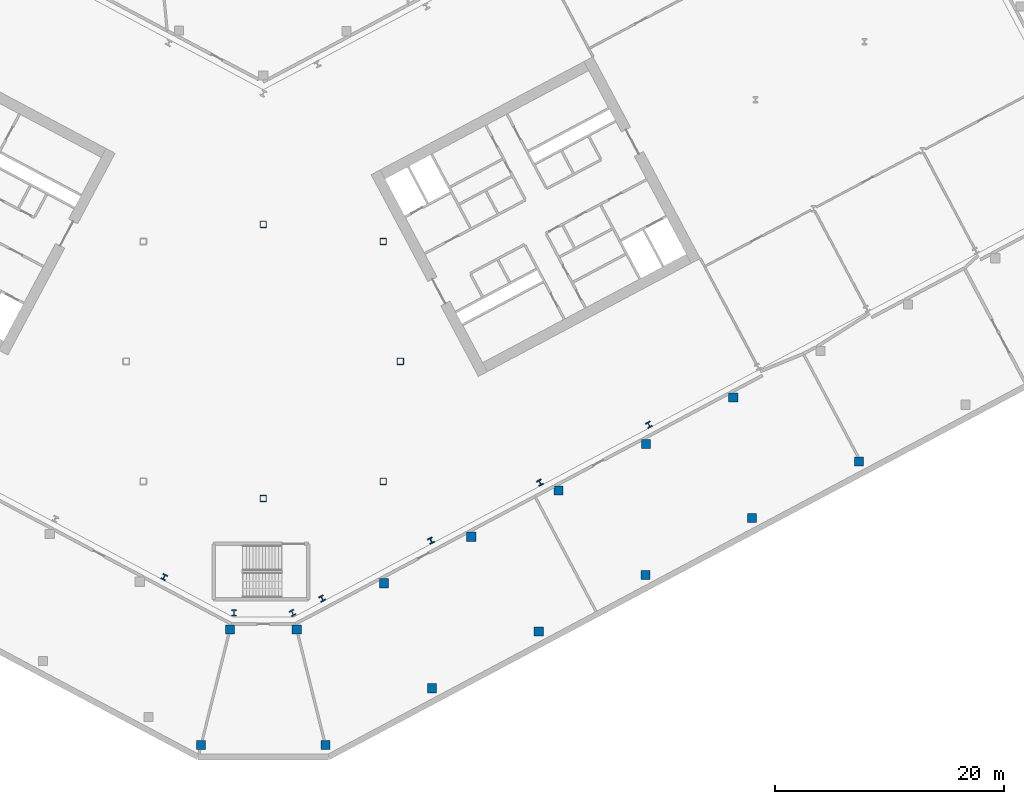
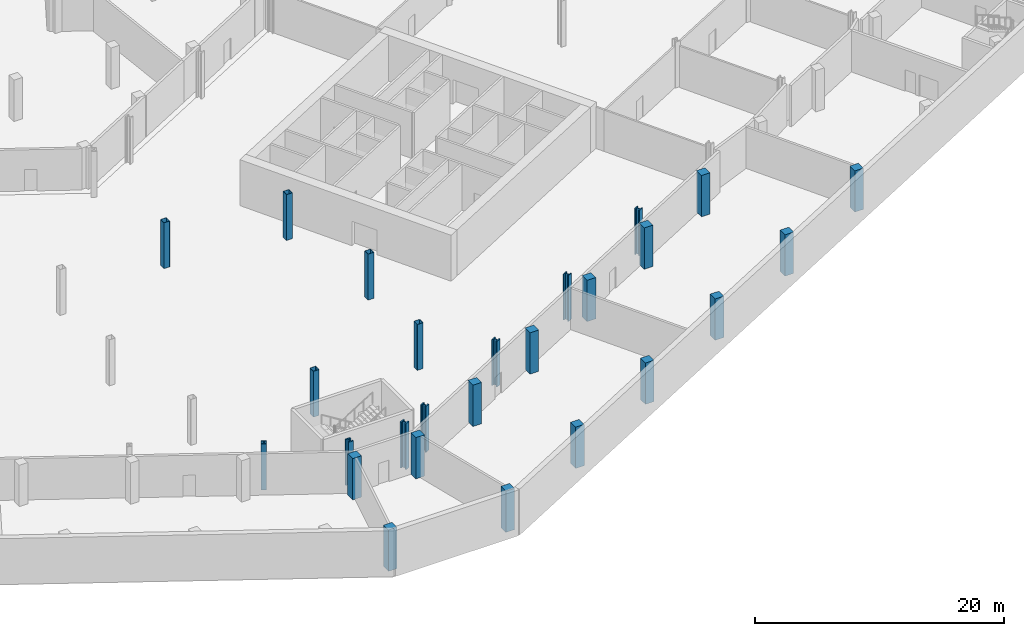
# One storey, part 3 of 27: 26 columns.
"""IFC4 building model written with IfcOpenShell, lengths in metres."""

from ifc_helpers import new_model, si_unit, direction, frame, origin, origin_2d, place, context, subcontext, project, spatial, rectangle, hollow_rectangle, i_section, extrude, material, material_profile, profile_set, type_object, element, save


model = new_model("IFC4")

# Units and contexts
model_context = context("Model", 3, precision=1e-05, world=origin(), true_north=direction((0.0, 1.0)))
body_context = subcontext(model_context, "Body", "Model", "MODEL_VIEW")
ifc_project = project(units=[si_unit("LENGTHUNIT", "METRE"), si_unit("AREAUNIT", "SQUARE_METRE"), si_unit("VOLUMEUNIT", "CUBIC_METRE"), si_unit("PLANEANGLEUNIT", "RADIAN"), si_unit("MASSUNIT", "GRAM", prefix="KILO")], contexts=[model_context])

# Site, building, storey
site_placement = place(None, origin())
site = spatial("IfcSite", under=ifc_project, at=site_placement, CompositionType="ELEMENT")
building_placement = place(site_placement, origin())
building = spatial("IfcBuilding", under=site, at=building_placement, Name="Cormorant Relay Tower", CompositionType="ELEMENT")
storey_placement = place(building_placement, frame((0.0, 0.0, -4.5)))
storey = spatial("IfcBuildingStorey", under=building, at=storey_placement, Name="B1", CompositionType="ELEMENT", Elevation=-4.5)

# Columns
ifc_material_1 = material(Name="Concrete 50 MPa", Category="concrete")
ifc_material_profile_1 = material_profile(ifc_material_1, rectangle(XDim=0.800048828125, YDim=0.800048828125, at=origin_2d()), Name="RC 800x800")
ifc_profile_set_1 = profile_set([ifc_material_profile_1], Name="Concrete 50 MPa")
column_type_1 = type_object("IfcColumnType", Name="Base column 800 x 800", PredefinedType="COLUMN", material=ifc_profile_set_1)
for number, where, z_axis, x_axis, name in (
    (1, (-5.44091796875, -33.575927734375, 0.0), (0.0, 0.0, 1.0), (1.0, 0.0, 0.0), "Base column"),
    (2, (5.44091796875, -33.575927734375, 0.0), (0.0, 0.0, 1.0), (1.0, 0.0, 0.0), "Base column"),
    (3, (14.778076171875, -28.611083984375, 0.0), (0.0, 0.0, 1.0), (1.0, 0.0, 0.0), "Base column"),
    (4, (24.114990234375, -23.64697265625, 0.0), (0.0, 0.0, 1.0), (1.0, 0.0, 0.0), "Base column"),
    (5, (-2.923095703125, -23.47607421875, 0.0), (0.0, 0.0, 1.0), (1.0, 0.0, 0.0), "Base column"),
    (6, (2.923095703125, -23.47607421875, 0.0), (0.0, 0.0, 1.0), (1.0, 0.0, 0.0), "Base column"),
    (7, (10.56494140625, -19.412109375, 0.0), (0.0, 0.0, 1.0), (1.0, 0.0, 0.0), "Base column"),
    (8, (33.451904296875, -18.681884765625, 0.0), (0.0, 0.0, 1.0), (1.0, 0.0, 0.0), "Base column"),
    (9, (18.20703125, -15.34912109375, 0.0), (0.0, 0.0, 1.0), (1.0, 0.0, 0.0), "Base column"),
    (10, (42.7890625, -13.717041015625, 0.0), (0.0, 0.0, 1.0), (1.0, 0.0, 0.0), "Base column"),
    (11, (25.84912109375, -11.285888671875, 0.0), (0.0, 0.0, 1.0), (1.0, 0.0, 0.0), "Base column"),
    (12, (52.1259765625, -8.7529296875, 0.0), (0.0, 0.0, 1.0), (1.0, 0.0, 0.0), "Base column"),
    (13, (33.490966796875, -7.221923828125, 0.0), (0.0, 0.0, 1.0), (1.0, 0.0, 0.0), "Base column"),
    (14, (41.133056640625, -3.158935546875, 0.0), (0.0, 0.0, 1.0), (1.0, 0.0, 0.0), "Base column"),
):
    element("IfcColumn", number, at=place(storey_placement, frame(where, z_axis=z_axis, x_axis=x_axis)), inside=storey, type_object=column_type_1, Name=name, PredefinedType="COLUMN", context=body_context, shape_type="SweptSolid", body=[
        extrude(rectangle(XDim=0.800048828125, YDim=0.800048828125, at=origin_2d()), origin(), (0.0, 0.0, 1.0), 4.050048828125),
    ])
ifc_material_2 = material(Name="Steel ASTM A1085 Grade A (Fy 345 MPa)", Category="steel")
ifc_material_profile_2 = material_profile(ifc_material_2, hollow_rectangle(XDim=0.558837890625, YDim=0.558837890625, WallThickness=0.023681640625, InnerFilletRadius=0.01171875, OuterFilletRadius=0.035400390625, at=origin_2d()), Name="HSS559x559x24")
ifc_profile_set_2 = profile_set([ifc_material_profile_2], Name="Steel ASTM A1085 Grade A (Fy 345 MPa)")
column_type_2 = type_object("IfcColumnType", Name="Column HSS559x559x24", PredefinedType="COLUMN", material=ifc_profile_set_2)
for number, where, z_axis, x_axis, name in (
    (15, (0.0, -12.0, 0.0), (0.0, 0.0, 1.0), (1.0, 0.0, 0.0), "Column B1-007"),
    (16, (10.5, -10.5, 0.0), (0.0, 0.0, 1.0), (1.0, 0.0, 0.0), "Column B1-010"),
    (17, (12.0, 0.0, 0.0), (0.0, 0.0, 1.0), (1.0, 0.0, 0.0), "Column B1-016"),
    (18, (10.5, 10.5, 0.0), (0.0, 0.0, 1.0), (1.0, 0.0, 0.0), "Column B1-023"),
    (19, (0.0, 12.0, 0.0), (0.0, 0.0, 1.0), (1.0, 0.0, 0.0), "Column B1-024"),
):
    element("IfcColumn", number, at=place(storey_placement, frame(where, z_axis=z_axis, x_axis=x_axis)), inside=storey, type_object=column_type_2, Name=name, PredefinedType="COLUMN", context=body_context, shape_type="SweptSolid", body=[
        extrude(hollow_rectangle(XDim=0.558837890625, YDim=0.558837890625, WallThickness=0.023681640625, InnerFilletRadius=0.01171875, OuterFilletRadius=0.035400390625, at=origin_2d()), origin(), (0.0, 0.0, 1.0), 4.5),
    ])
ifc_material_3 = material(Name="Steel ASTM A992 (Fy 345 MPa)", Category="steel")
ifc_material_profile_3 = material_profile(ifc_material_3, i_section(OverallWidth=0.45458984375, OverallDepth=0.569091796875, WebThickness=0.077880859375, FlangeThickness=0.124755859375, FilletRadius=0.015380859375, at=origin_2d()), Name="W360x1086")
ifc_profile_set_3 = profile_set([ifc_material_profile_3], Name="Steel ASTM A992 (Fy 345 MPa)")
column_type_3 = type_object("IfcColumnType", Name="Column W360x1086", PredefinedType="COLUMN", material=ifc_profile_set_3)
for number, where, z_axis, x_axis, name in (
    (20, (-2.55908203125, -22.01708984375, 0.0), (0.0, 0.0, 1.0), (1.0, 0.0, 0.0), "Column B1-001"),
    (21, (2.55908203125, -22.01708984375, 0.0), (0.0, 0.0, 1.0), (0.882947592859, 0.469471562786, 0.0), "Column B1-002"),
):
    element("IfcColumn", number, at=place(storey_placement, frame(where, z_axis=z_axis, x_axis=x_axis)), inside=storey, type_object=column_type_3, Name=name, PredefinedType="COLUMN", context=body_context, shape_type="SweptSolid", body=[
        extrude(i_section(OverallWidth=0.45458984375, OverallDepth=0.569091796875, WebThickness=0.077880859375, FlangeThickness=0.124755859375, FilletRadius=0.015380859375, at=origin_2d()), origin(), (0.0, 0.0, 1.0), 4.5),
    ])
ifc_material_4 = material(Name="Steel ASTM A992 (Fy 345 MPa)", Category="steel")
ifc_material_profile_4 = material_profile(ifc_material_4, i_section(OverallWidth=0.43701171875, OverallDepth=0.51318359375, WebThickness=0.060546875, FlangeThickness=0.096923828125, FilletRadius=0.015380859375, at=origin_2d()), Name="W360x818")
ifc_profile_set_4 = profile_set([ifc_material_profile_4], Name="Steel ASTM A992 (Fy 345 MPa)")
column_type_4 = type_object("IfcColumnType", Name="Column W360x818", PredefinedType="COLUMN", material=ifc_profile_set_4)
for number, where, z_axis, x_axis, name in (
    (22, (5.14599609375, -20.75390625, 0.0), (0.0, 0.0, 1.0), (0.882947592859, 0.469471562786, 0.0), "Column B1-003"),
    (23, (-8.677001953125, -18.8759765625, 0.0), (0.0, 0.0, 1.0), (0.882947592859, -0.469471562786, 0.0), "Column B1-004"),
    (24, (14.680908203125, -15.68310546875, 0.0), (0.0, 0.0, 1.0), (0.882947592859, 0.469471562786, 0.0), "Column B1-005"),
    (25, (24.217041015625, -10.613037109375, 0.0), (0.0, 0.0, 1.0), (0.882947592859, 0.469471562786, 0.0), "Column B1-008"),
    (26, (33.7529296875, -5.54296875, 0.0), (0.0, 0.0, 1.0), (0.882947592859, 0.469471562786, 0.0), "Column B1-012"),
):
    element("IfcColumn", number, at=place(storey_placement, frame(where, z_axis=z_axis, x_axis=x_axis)), inside=storey, type_object=column_type_4, Name=name, PredefinedType="COLUMN", context=body_context, shape_type="SweptSolid", body=[
        extrude(i_section(OverallWidth=0.43701171875, OverallDepth=0.51318359375, WebThickness=0.060546875, FlangeThickness=0.096923828125, FilletRadius=0.015380859375, at=origin_2d()), origin(), (0.0, 0.0, 1.0), 4.5),
    ])

save(model, "model.ifc")
